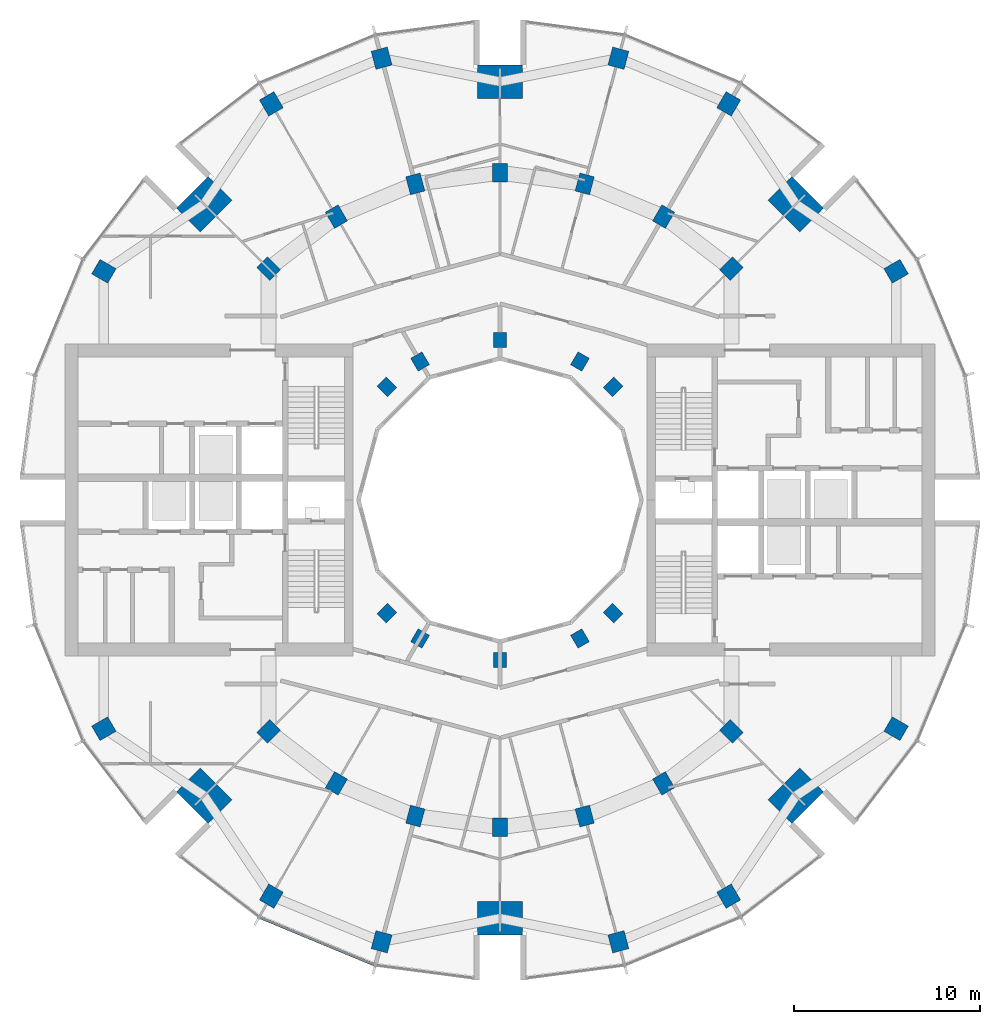
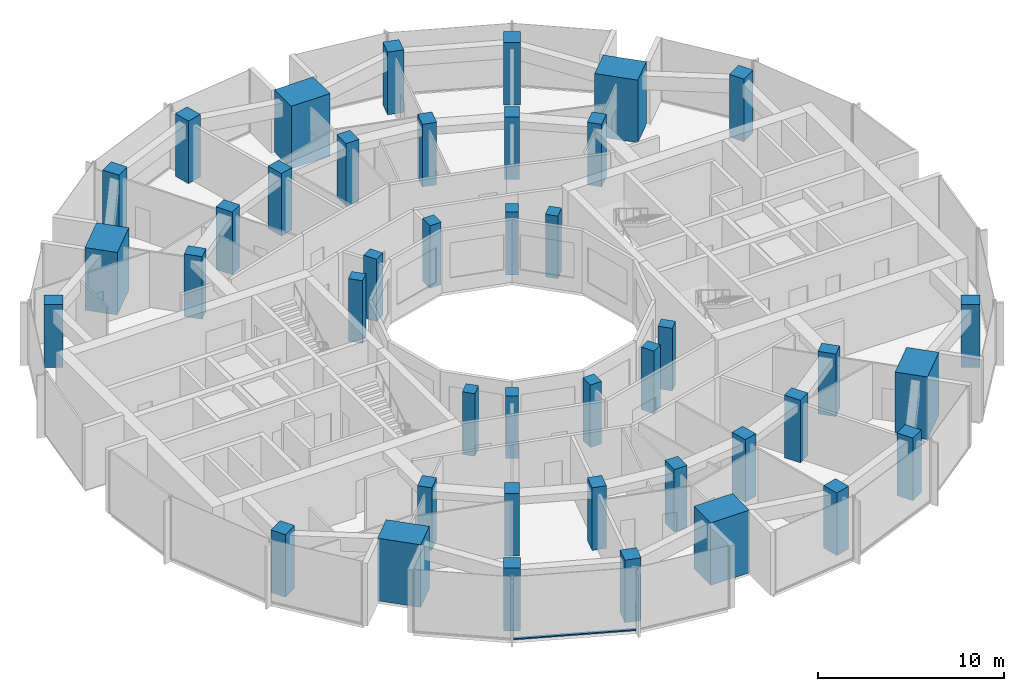
# One storey, part 1 of 15: 42 columns, 1 member, 1 element without a shape of its own.
"""IFC4 building model written with IfcOpenShell, lengths in metres."""

import ifcopenshell
import ifcopenshell.guid

model = None  # the IFC model being written
_history = None  # IfcOwnerHistory: only IFC2X3 demands one
_inside = {}  # id of a spatial element -> (the spatial element, [elements in it])
_under = {}  # id of a project, library or spatial element -> (it, [spatial elements below it])
_declared = {}  # id of a project -> (the project, [libraries it declares])
_typed = {}  # id of a type object -> (the type object, [elements of that type])
_made_of = {}  # id of a material, layer set ... -> (it, [elements and type objects made of it])


def new_model(schema):
    """Start an empty IFC model of exactly this schema.

    Asked for "IFC4X3", IfcOpenShell would pick the latest addendum, in which some entities
    have other attributes; the version numbers below select the first issue.
    IFC2X3 requires an IfcOwnerHistory on every rooted entity: one is made here for all.
    """
    global model, _history
    if schema == "IFC4X3":
        model = ifcopenshell.file(schema_version=(4, 3, 0, 0))
    else:
        model = ifcopenshell.file(schema=schema)
    _inside.clear()
    _under.clear()
    _declared.clear()
    _typed.clear()
    _made_of.clear()
    _history = None
    if model.schema == "IFC2X3":
        org = make("IfcOrganization", Name="unknown")
        user = make(
            "IfcPersonAndOrganization",
            ThePerson=make("IfcPerson", FamilyName="unknown"),
            TheOrganization=org,
        )
        app = make(
            "IfcApplication",
            ApplicationDeveloper=org,
            Version="unknown",
            ApplicationFullName="unknown",
            ApplicationIdentifier="unknown",
        )
        _history = make(
            "IfcOwnerHistory",
            OwningUser=user,
            OwningApplication=app,
            ChangeAction="ADDED",
            CreationDate=0,
        )
    return model


def make(cls, **values):
    """One entity of the class cls with the attributes given. An attribute that is None is left unset."""
    return model.create_entity(
        cls, **{name: value for name, value in values.items() if value is not None}
    )


def rooted(cls, **values):
    """An entity with a GlobalId (a new one), such as an element, a storey or a relation."""
    return make(cls, GlobalId=ifcopenshell.guid.new(), OwnerHistory=_history, **values)


def si_unit(unit_type, name, prefix=None):
    """IfcSIUnit, for example si_unit("LENGTHUNIT", "METRE", prefix="MILLI")."""
    return make("IfcSIUnit", UnitType=unit_type, Prefix=prefix, Name=name)


def assignment(units):
    """IfcUnitAssignment: the units of a project."""
    return None if units is None else make("IfcUnitAssignment", Units=units)


def point(xyz):
    """IfcCartesianPoint."""
    return None if xyz is None else make("IfcCartesianPoint", Coordinates=xyz)


def direction(xyz):
    """IfcDirection."""
    return None if xyz is None else make("IfcDirection", DirectionRatios=xyz)


def frame(location, z_axis=None, x_axis=None):
    """IfcAxis2Placement3D, a coordinate frame: its origin and axes. An axis left out is left unset."""
    return make(
        "IfcAxis2Placement3D",
        Location=point(location),
        Axis=direction(z_axis),
        RefDirection=direction(x_axis),
    )


def frame_2d(location, x_axis=None):
    """IfcAxis2Placement2D, a coordinate frame in the plane: its origin and x axis."""
    return make(
        "IfcAxis2Placement2D", Location=point(location), RefDirection=direction(x_axis)
    )


def origin():
    """The frame at (0, 0, 0) with its axes left unset."""
    return frame((0.0, 0.0, 0.0))


def origin_2d():
    """The frame at (0, 0) in the plane with its x axis left unset."""
    return frame_2d((0.0, 0.0))


def place(relative_to, where):
    """IfcLocalPlacement: puts the frame where relative to a parent placement (None: the world)."""
    return make(
        "IfcLocalPlacement", PlacementRelTo=relative_to, RelativePlacement=where
    )


def context(
    kind, dimensions, precision=None, world=None, true_north=None, identifier=None
):
    """IfcGeometricRepresentationContext, for example the 3D "Model" context."""
    return make(
        "IfcGeometricRepresentationContext",
        ContextIdentifier=identifier,
        ContextType=kind,
        CoordinateSpaceDimension=dimensions,
        Precision=precision,
        WorldCoordinateSystem=world,
        TrueNorth=true_north,
    )


def subcontext(parent, identifier, kind, view, scale=None):
    """IfcGeometricRepresentationSubContext, for example "Body" below "Model"."""
    return make(
        "IfcGeometricRepresentationSubContext",
        ContextIdentifier=identifier,
        ContextType=kind,
        ParentContext=parent,
        TargetScale=scale,
        TargetView=view,
    )


def project(units=None, contexts=None):
    """IfcProject with its units and contexts."""
    return rooted(
        "IfcProject",
        Name="project",
        RepresentationContexts=contexts,
        UnitsInContext=assignment(units),
    )


def spatial(cls, under=None, at=None, **own):
    """A site, building, storey or space (cls), placed at a placement, below another one or the project."""
    s = rooted(cls, ObjectPlacement=at, **own)
    if under is not None:
        _under.setdefault(under.id(), (under, []))[1].append(s)
    return s


def profile(cls, at=None, kind="AREA", **sizes):
    """A parametric profile (cls). Its sizes go by their IFC names, for example OverallWidth=200.0."""
    return make(cls, ProfileType=kind, Position=at, **sizes)


def rectangle(**sizes):
    """IfcRectangleProfileDef."""
    return profile("IfcRectangleProfileDef", **sizes)


def extrude(swept, where, along, depth):
    """IfcExtrudedAreaSolid: the profile swept, set in the frame where, extruded along a direction by depth."""
    return make(
        "IfcExtrudedAreaSolid",
        SweptArea=swept,
        Position=where,
        ExtrudedDirection=direction(along),
        Depth=depth,
    )


def shape(context_of_items, identifier, shape_type, items):
    """IfcShapeRepresentation: the items that make up one representation, for example the "Body"."""
    return make(
        "IfcShapeRepresentation",
        ContextOfItems=context_of_items,
        RepresentationIdentifier=identifier,
        RepresentationType=shape_type,
        Items=items,
    )


def material(Name=None, Category=None):
    """IfcMaterial."""
    return make("IfcMaterial", Name=Name, Category=Category)


def layer(
    of_material, thickness, ventilated=None, Name=None, Category=None, Priority=None
):
    """IfcMaterialLayer: one layer of a wall or slab, of a material (None: an air gap)."""
    return make(
        "IfcMaterialLayer",
        Material=of_material,
        LayerThickness=thickness,
        IsVentilated=ventilated,
        Name=Name,
        Category=Category,
        Priority=Priority,
    )


def layer_set(layers, Name=None):
    """IfcMaterialLayerSet."""
    return make("IfcMaterialLayerSet", MaterialLayers=layers, LayerSetName=Name)


def material_profile(
    of_material, cross_section, Name=None, Category=None, Priority=None
):
    """IfcMaterialProfile: a cross section and its material."""
    return make(
        "IfcMaterialProfile",
        Name=Name,
        Material=of_material,
        Profile=cross_section,
        Priority=Priority,
        Category=Category,
    )


def profile_set(profiles, Name=None, composite=None):
    """IfcMaterialProfileSet."""
    return make(
        "IfcMaterialProfileSet",
        Name=Name,
        MaterialProfiles=profiles,
        CompositeProfile=composite,
    )


def made_of(thing, what):
    """Note that an element or type object is made of a material, layer set ...; save() writes the relation."""
    if what is not None:
        _made_of.setdefault(what.id(), (what, []))[1].append(thing)
    return thing


def type_object(cls, material=None, **own):
    """A type object (cls), such as IfcWallType, which elements share."""
    return made_of(rooted(cls, **own), material)


def element(
    cls,
    number,
    at=None,
    inside=None,
    cuts=None,
    type_object=None,
    material=None,
    context=None,
    identifier="Body",
    shape_type=None,
    held_by="IfcProductDefinitionShape",
    body=None,
    shapes=None,
    **own,
):
    """One element of the class cls, such as IfcWall. Its Tag is "e" and its number.

    at: its placement. inside: the storey or other place that contains it. cuts: it is an
    opening in that element (IfcRelVoidsElement). A single representation is given by context,
    identifier, shape_type and body (its items); several are given by shapes. held_by: the class
    of the entity that holds the representations. save() writes the other relations.
    """
    e = rooted(cls, Tag="e%d" % number, ObjectPlacement=at, **own)
    if body is not None:
        shapes = [shape(context, identifier, shape_type, body)]
    if shapes is not None:
        e.Representation = make(held_by, Representations=shapes)
    if inside is not None:
        _inside.setdefault(inside.id(), (inside, []))[1].append(e)
    if cuts is not None:
        rooted(
            "IfcRelVoidsElement", RelatingBuildingElement=cuts, RelatedOpeningElement=e
        )
    if type_object is not None:
        _typed.setdefault(type_object.id(), (type_object, []))[1].append(e)
    return made_of(e, material)


def aggregate(whole, parts):
    """IfcRelAggregates: a whole, such as a stair, and the parts it consists of."""
    return rooted("IfcRelAggregates", RelatingObject=whole, RelatedObjects=parts)


def save(model, path):
    """Write the relations noted so far, then the file.

    IfcRelAggregates (storeys below a building ...), IfcRelContainedInSpatialStructure (elements
    in a storey), IfcRelDefinesByType, IfcRelAssociatesMaterial and IfcRelDeclares: one each for
    every whole, place, type object, material and project.
    """
    for whole, parts in _under.values():
        aggregate(whole, parts)
    for where, things in _inside.values():
        rooted(
            "IfcRelContainedInSpatialStructure",
            RelatedElements=things,
            RelatingStructure=where,
        )
    for kind, things in _typed.values():
        rooted("IfcRelDefinesByType", RelatedObjects=things, RelatingType=kind)
    for what, things in _made_of.values():
        rooted("IfcRelAssociatesMaterial", RelatedObjects=things, RelatingMaterial=what)
    for by, libraries in _declared.values():
        rooted("IfcRelDeclares", RelatingContext=by, RelatedDefinitions=libraries)
    model.write(path)


model = new_model("IFC4")

# Units and contexts
model_context = context("Model", 3, precision=1e-05, world=origin(), true_north=direction((0.0, 1.0)))
body_context = subcontext(model_context, "Body", "Model", "MODEL_VIEW")
ifc_project = project(units=[si_unit("LENGTHUNIT", "METRE"), si_unit("AREAUNIT", "SQUARE_METRE"), si_unit("VOLUMEUNIT", "CUBIC_METRE"), si_unit("PLANEANGLEUNIT", "RADIAN"), si_unit("MASSUNIT", "GRAM", prefix="KILO")], contexts=[model_context])

# Site, building, storey
site_placement = place(None, origin())
site = spatial("IfcSite", under=ifc_project, at=site_placement, CompositionType="ELEMENT")
building_placement = place(site_placement, origin())
building = spatial("IfcBuilding", under=site, at=building_placement, Name="Torre Brocal", CompositionType="ELEMENT")
storey_placement = place(building_placement, frame((0.0, 0.0, 198.699951171875)))
storey = spatial("IfcBuildingStorey", under=building, at=storey_placement, Name="L46", CompositionType="ELEMENT", Elevation=198.699951171875)

# Columns
ifc_material_1 = material(Name="Concrete C70", Category="concrete")
ifc_material_profile_1 = material_profile(ifc_material_1, rectangle(XDim=1.0, YDim=0.800048828125, at=origin_2d()), Name="RC 1000X800")
ifc_profile_set_1 = profile_set([ifc_material_profile_1], Name="Concrete C70")
column_type_1 = type_object("IfcColumnType", Name="RC COLUMN 1000X800 C70", PredefinedType="COLUMN", material=ifc_profile_set_1)
for number, where, z_axis, x_axis, name in (
    (1, (92.445068359375, 87.445068359375, 0.0), (0.0, 0.0, 1.0), (0.707106781187, 0.707106781187, 0.0), "Column C-M03"),
    (2, (88.800048828125, 90.241943359375, 0.0), (0.0, 0.0, 1.0), (0.5, 0.866025403784, 0.0), "Column C-M04"),
    (3, (84.55517578125, 92.000244140625, 0.0), (0.0, 0.0, 1.0), (0.258819045103, 0.965925826289, 0.0), "Column C-M05"),
    (4, (80.0, 92.60009765625, 0.0), (0.0, 0.0, 1.0), (0.0, 1.0, 0.0), "Column C-M06"),
    (5, (75.44482421875, 92.000244140625, 0.0), (0.0, 0.0, 1.0), (-0.258819045103, 0.965925826289, 0.0), "Column C-M07"),
    (6, (71.199951171875, 90.241943359375, 0.0), (0.0, 0.0, 1.0), (-0.5, 0.866025403784, 0.0), "Column C-M08"),
    (7, (67.554931640625, 87.445068359375, 0.0), (0.0, 0.0, 1.0), (-0.707106781187, 0.707106781187, 0.0), "Column C-M09"),
    (8, (67.554931640625, 62.554931640625, 0.0), (0.0, 0.0, 1.0), (-0.707106781187, -0.707106781187, 0.0), "Column C-M15"),
    (9, (71.199951171875, 59.758056640625, 0.0), (0.0, 0.0, 1.0), (-0.5, -0.866025403784, 0.0), "Column C-M16"),
    (10, (75.44482421875, 57.999755859375, 0.0), (0.0, 0.0, 1.0), (-0.258819045103, -0.965925826289, 0.0), "Column C-M17"),
    (11, (80.0, 57.39990234375, 0.0), (0.0, 0.0, 1.0), (0.0, -1.0, 0.0), "Column C-M18"),
    (12, (84.55517578125, 57.999755859375, 0.0), (0.0, 0.0, 1.0), (0.258819045103, -0.965925826289, 0.0), "Column C-M19"),
    (13, (88.800048828125, 59.758056640625, 0.0), (0.0, 0.0, 1.0), (0.5, -0.866025403784, 0.0), "Column C-M20"),
    (14, (92.445068359375, 62.554931640625, 0.0), (0.0, 0.0, 1.0), (0.707106781187, -0.707106781187, 0.0), "Column C-M21"),
):
    element("IfcColumn", number, at=place(storey_placement, frame(where, z_axis=z_axis, x_axis=x_axis)), inside=storey, type_object=column_type_1, Name=name, PredefinedType="COLUMN", context=body_context, shape_type="SweptSolid", body=[
        extrude(rectangle(XDim=1.0, YDim=0.800048828125, at=origin_2d()), origin(), (0.0, 0.0, 1.0), 4.10009765625),
    ])
ifc_material_2 = material(Name="Concrete C70", Category="concrete")
ifc_material_profile_2 = material_profile(ifc_material_2, rectangle(XDim=1.0, YDim=0.89990234375, at=origin_2d()), Name="RC 1000X900")
ifc_profile_set_2 = profile_set([ifc_material_profile_2], Name="Concrete C70")
column_type_2 = type_object("IfcColumnType", Name="RC COLUMN 1000X900 C70", PredefinedType="COLUMN", material=ifc_profile_set_2)
for number, where, z_axis, x_axis, name in (
    (15, (101.30419921875, 87.300048828125, 0.0), (0.0, 0.0, 1.0), (0.866025403784, 0.5, 0.0), "Column C-O02"),
    (16, (92.300048828125, 96.30419921875, 0.0), (0.0, 0.0, 1.0), (0.5, 0.866025403784, 0.0), "Column C-O04"),
    (17, (86.366943359375, 98.76171875, 0.0), (0.0, 0.0, 1.0), (0.258819045103, 0.965925826289, 0.0), "Column C-O05"),
    (18, (73.633056640625, 98.76171875, 0.0), (0.0, 0.0, 1.0), (-0.258819045103, 0.965925826289, 0.0), "Column C-O07"),
    (19, (67.699951171875, 96.30419921875, 0.0), (0.0, 0.0, 1.0), (-0.5, 0.866025403784, 0.0), "Column C-O08"),
    (20, (58.69580078125, 87.300048828125, 0.0), (0.0, 0.0, 1.0), (-0.866025403784, 0.5, 0.0), "Column C-O10"),
    (21, (58.69580078125, 62.699951171875, 0.0), (0.0, 0.0, 1.0), (-0.866025403784, -0.5, 0.0), "Column C-O14"),
    (22, (67.699951171875, 53.69580078125, 0.0), (0.0, 0.0, 1.0), (-0.5, -0.866025403784, 0.0), "Column C-O16"),
    (23, (73.633056640625, 51.23828125, 0.0), (0.0, 0.0, 1.0), (-0.258819045103, -0.965925826289, 0.0), "Column C-O17"),
    (24, (86.366943359375, 51.23828125, 0.0), (0.0, 0.0, 1.0), (0.258819045103, -0.965925826289, 0.0), "Column C-O19"),
    (25, (92.300048828125, 53.69580078125, 0.0), (0.0, 0.0, 1.0), (0.5, -0.866025403784, 0.0), "Column C-O20"),
    (26, (101.30419921875, 62.699951171875, 0.0), (0.0, 0.0, 1.0), (0.866025403784, -0.5, 0.0), "Column C-O22"),
):
    element("IfcColumn", number, at=place(storey_placement, frame(where, z_axis=z_axis, x_axis=x_axis)), inside=storey, type_object=column_type_2, Name=name, PredefinedType="COLUMN", context=body_context, shape_type="SweptSolid", body=[
        extrude(rectangle(XDim=1.0, YDim=0.89990234375, at=origin_2d()), origin(), (0.0, 0.0, 1.0), 4.10009765625),
    ])
ifc_material_3 = material(Name="Concrete C70", Category="concrete")
ifc_material_profile_3 = material_profile(ifc_material_3, rectangle(XDim=1.800048828125, YDim=2.39990234375, at=origin_2d()), Name="RC 1800X2400")
ifc_profile_set_3 = profile_set([ifc_material_profile_3], Name="Concrete C70")
column_type_3 = type_object("IfcColumnType", Name="RC COLUMN 1800X2400 C70", PredefinedType="COLUMN", material=ifc_profile_set_3)
for number, where, z_axis, x_axis, name in (
    (27, (95.909912109375, 90.909912109375, 0.0), (0.0, 0.0, 1.0), (0.707106781187, 0.707106781187, 0.0), "Column MC-1"),
    (28, (80.0, 97.5, 0.0), (0.0, 0.0, 1.0), (0.0, 1.0, 0.0), "Column MC-2"),
    (29, (64.090087890625, 90.909912109375, 0.0), (0.0, 0.0, 1.0), (-0.707106781187, 0.707106781187, 0.0), "Column MC-3"),
    (30, (64.090087890625, 59.090087890625, 0.0), (0.0, 0.0, 1.0), (-0.707106781187, -0.707106781187, 0.0), "Column MC-5"),
    (31, (80.0, 52.5, 0.0), (0.0, 0.0, 1.0), (0.0, -1.0, 0.0), "Column MC-6"),
    (32, (95.909912109375, 59.090087890625, 0.0), (0.0, 0.0, 1.0), (0.707106781187, -0.707106781187, 0.0), "Column MC-7"),
):
    element("IfcColumn", number, at=place(storey_placement, frame(where, z_axis=z_axis, x_axis=x_axis)), inside=storey, type_object=column_type_3, Name=name, PredefinedType="COLUMN", context=body_context, shape_type="SweptSolid", body=[
        extrude(rectangle(XDim=1.800048828125, YDim=2.39990234375, at=origin_2d()), origin(), (0.0, 0.0, 1.0), 4.10009765625),
    ])
ifc_material_4 = material(Name="Concrete C70", Category="concrete")
ifc_material_profile_4 = material_profile(ifc_material_4, rectangle(XDim=0.800048828125, YDim=0.699951171875, at=origin_2d()), Name="RC 800X700")
ifc_profile_set_4 = profile_set([ifc_material_profile_4], Name="Concrete C70")
column_type_4 = type_object("IfcColumnType", Name="RC COLUMN 800X700 C70", PredefinedType="COLUMN", material=ifc_profile_set_4)
for number, where, z_axis, x_axis, name in (
    (33, (86.0810546875, 81.0810546875, 0.0), (0.0, 0.0, 1.0), (0.707106781187, 0.707106781187, 0.0), "Column C-I03"),
    (34, (84.300048828125, 82.44775390625, 0.0), (0.0, 0.0, 1.0), (0.5, 0.866025403784, 0.0), "Column C-I04"),
    (35, (80.0, 83.60009765625, 0.0), (0.0, 0.0, 1.0), (0.0, 1.0, 0.0), "Column C-I06"),
    (36, (75.699951171875, 82.44775390625, 0.0), (0.0, 0.0, 1.0), (-0.5, 0.866025403784, 0.0), "Column C-I08"),
    (37, (73.9189453125, 81.0810546875, 0.0), (0.0, 0.0, 1.0), (-0.707106781187, 0.707106781187, 0.0), "Column C-I09"),
    (38, (73.9189453125, 68.9189453125, 0.0), (0.0, 0.0, 1.0), (-0.707106781187, -0.707106781187, 0.0), "Column C-I15"),
    (39, (75.699951171875, 67.55224609375, 0.0), (0.0, 0.0, 1.0), (-0.5, -0.866025403784, 0.0), "Column C-I16"),
    (40, (80.0, 66.39990234375, 0.0), (0.0, 0.0, 1.0), (0.0, -1.0, 0.0), "Column C-I18"),
    (41, (84.300048828125, 67.55224609375, 0.0), (0.0, 0.0, 1.0), (0.5, -0.866025403784, 0.0), "Column C-I20"),
    (42, (86.0810546875, 68.9189453125, 0.0), (0.0, 0.0, 1.0), (0.707106781187, -0.707106781187, 0.0), "Column C-I21"),
):
    element("IfcColumn", number, at=place(storey_placement, frame(where, z_axis=z_axis, x_axis=x_axis)), inside=storey, type_object=column_type_4, Name=name, PredefinedType="COLUMN", context=body_context, shape_type="SweptSolid", body=[
        extrude(rectangle(XDim=0.800048828125, YDim=0.699951171875, at=origin_2d()), origin(), (0.0, 0.0, 1.0), 4.10009765625),
    ])

# Curtain wall, member
ifc_material_5 = material(Name="Aluminium and glass", Category="aluminium")
ifc_layer = layer(ifc_material_5, 0.199951171875)
ifc_layer_set = layer_set([ifc_layer], Name="Aluminium and glass")
curtain_wall_type = type_object("IfcCurtainWallType", Name="CW-1 CURTAIN WALL 4100 HIGH", PredefinedType="NOTDEFINED", material=ifc_layer_set)
curtain_wall_placement = place(storey_placement, origin())
curtain_wall = element("IfcCurtainWall", 43, at=curtain_wall_placement, inside=storey, type_object=curtain_wall_type, Name="CW-1 RUN 17", PredefinedType="NOTDEFINED")
ifc_material_6 = material(Name="Aluminium, dark anodised", Category="aluminium")
ifc_material_profile_5 = material_profile(ifc_material_6, rectangle(XDim=0.159912109375, YDim=0.080078125, at=origin_2d()), Name="CW-1 TRANSOM 160X80")
ifc_profile_set_5 = profile_set([ifc_material_profile_5], Name="Aluminium, dark anodised")
member_type = type_object("IfcMemberType", Name="CW-1 TRANSOM 160X80", PredefinedType="USERDEFINED", material=ifc_profile_set_5)
member_placement = place(storey_placement, frame((67.10595703125, 52.547607421875, 0.0400390625), z_axis=(0.923887344364, -0.38266457234, 0.0), x_axis=(0.38266457234, 0.923887344364, 0.0)))
member = element("IfcMember", 44, at=member_placement, type_object=member_type, Name="CW1-4 transom 1.1", ObjectType="TRANSOM", PredefinedType="USERDEFINED", context=body_context, shape_type="SweptSolid", body=[
    extrude(rectangle(XDim=0.159912109375, YDim=0.080078125, at=origin_2d()), origin(), (0.0, 0.0, 1.0), 6.640869140625),
])
aggregate(curtain_wall, [member])

save(model, "model.ifc")
